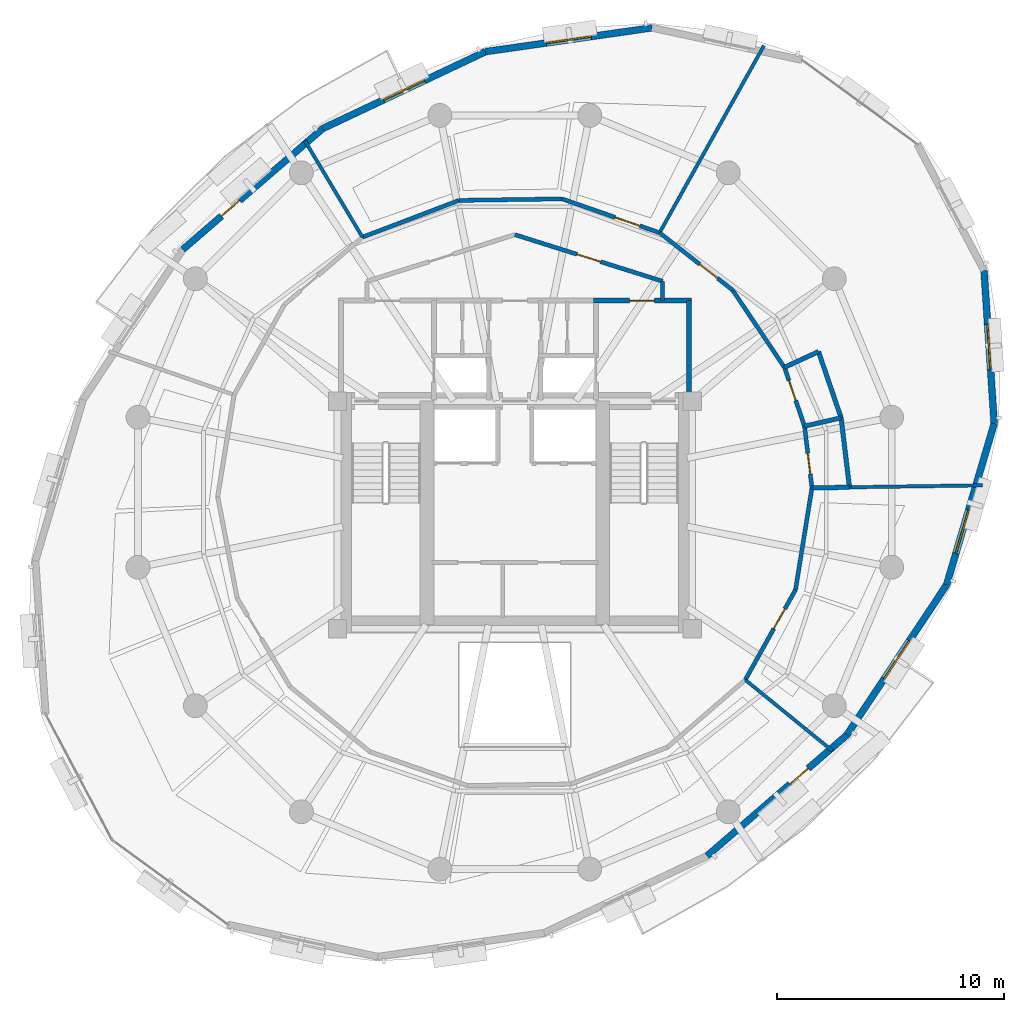
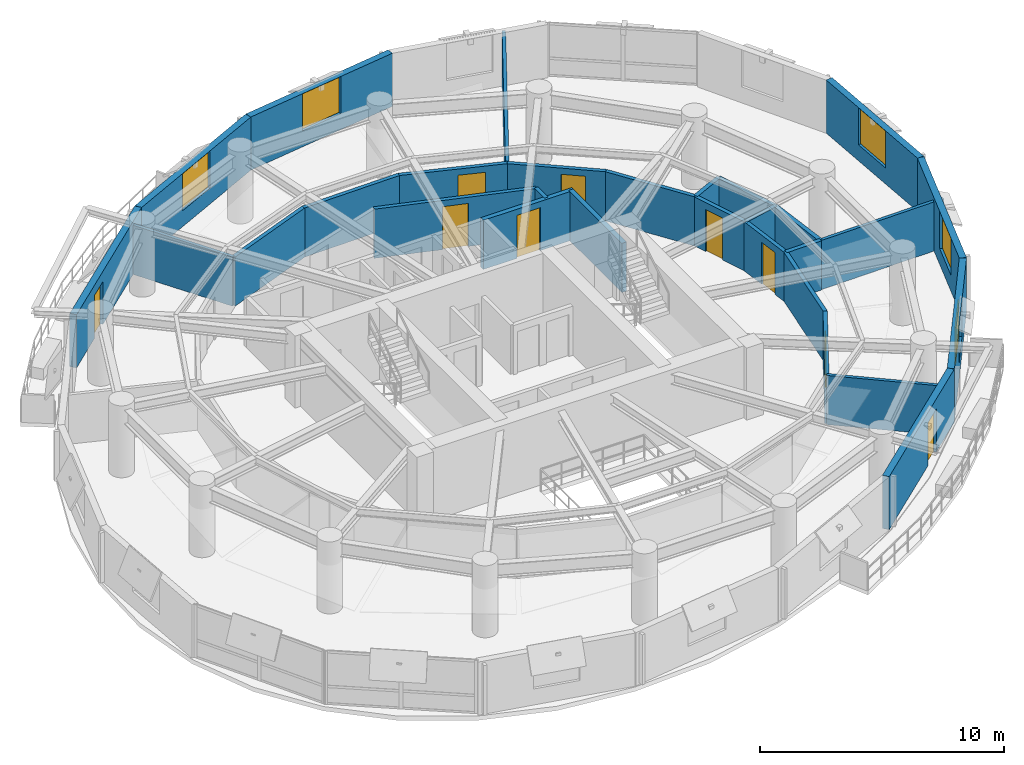
# One storey, part 9 of 12: 29 walls, 9 doors, 5 windows, 14 openings.
"""IFC4 building model written with IfcOpenShell, lengths in metres."""

from ifc_helpers import new_model, si_unit, direction, frame, frame_2d, origin, place, context, subcontext, project, spatial, rectangle, extrude, material, layer, layer_set, type_object, element, fill, save


model = new_model("IFC4")

# Units and contexts
model_context = context("Model", 3, precision=1e-05, world=origin(), true_north=direction((0.0, 1.0)))
body_context = subcontext(model_context, "Body", "Model", "MODEL_VIEW")
ifc_project = project(units=[si_unit("LENGTHUNIT", "METRE"), si_unit("AREAUNIT", "SQUARE_METRE"), si_unit("VOLUMEUNIT", "CUBIC_METRE"), si_unit("PLANEANGLEUNIT", "RADIAN"), si_unit("MASSUNIT", "GRAM", prefix="KILO"), si_unit("THERMODYNAMICTEMPERATUREUNIT", "KELVIN"), si_unit("POWERUNIT", "WATT")], contexts=[model_context])

# Site, building, storey
site_placement = place(None, origin())
site = spatial("IfcSite", under=ifc_project, at=site_placement, CompositionType="ELEMENT")
building_placement = place(site_placement, origin())
building = spatial("IfcBuilding", under=site, at=building_placement, Name="Ocrelia Relay Tower", CompositionType="ELEMENT")
storey_placement = place(building_placement, frame((0.0, 0.0, 202.39990234375)))
storey = spatial("IfcBuildingStorey", under=building, at=storey_placement, Name="L49", CompositionType="ELEMENT", Elevation=202.39990234375)

# Wall
ifc_material_1 = material(Name="Gypsum Fireboard Partition EI60", Category="gypsum")
ifc_layer_1 = layer(ifc_material_1, 0.179931640625, Name="Gypsum Fireboard Partition EI60")
ifc_layer_set_1 = layer_set([ifc_layer_1], Name="Gypsum Fireboard Partition EI60")
wall_type_1 = type_object("IfcWallType", Name="W-CORR-EI60-180", PredefinedType="PARTITIONING", material=ifc_layer_set_1)
wall_1_placement = place(storey_placement, frame((40.5, 35.280029296875, 0.0), z_axis=(0.0, 0.0, 1.0), x_axis=(0.0, -1.0, 0.0)))
element("IfcWall", 1, at=wall_1_placement, inside=storey, type_object=wall_type_1, Name="L49 Smoke Lobby East Return", PredefinedType="PARTITIONING", context=body_context, shape_type="SweptSolid", body=[
    extrude(rectangle(XDim=0.85009765625, YDim=0.179931640625, at=frame_2d((0.425048828125, 0.0))), origin(), (0.0, 0.0, 1.0), 2.460205078125),
])

# Wall, opening, door
wall_2_placement = place(storey_placement, frame((34.0, 37.330078125, 0.0), z_axis=(0.0, 0.0, 1.0), x_axis=(0.953691418528, -0.300786765376, 0.0)))
wall_2 = element("IfcWall", 2, at=wall_2_placement, inside=storey, type_object=wall_type_1, Name="L49 North Smoke Lobby E Screen Wall", PredefinedType="PARTITIONING", context=body_context, shape_type="SweptSolid", body=[
    extrude(rectangle(XDim=6.815673828125, YDim=0.179931640625, at=frame_2d((3.40771484375, 0.0))), origin(), (0.0, 0.0, 1.0), 2.460205078125),
])
opening_1_placement = place(wall_2_placement, frame((2.85791015625, 0.0, 0.0)))
opening_1 = element("IfcOpeningElement", 3, at=opening_1_placement, cuts=wall_2, Name="Opening D-FD60", PredefinedType="OPENING", context=body_context, shape_type="SweptSolid", body=[
    extrude(rectangle(XDim=1.10009765625, YDim=2.14990234375, at=frame_2d((0.550048828125, 1.074951171875))), frame((0.0, 0.10009765625, 0.0), z_axis=(0.0, -1.0, 0.0), x_axis=(1.0, 0.0, 0.0)), (0.0, 0.0, 1.0), 0.199951171875),
])
ifc_material_2 = material(Name="Timber-core 60-min acoustic fire door", Category="wood")
door_type_1 = type_object("IfcDoorType", Name="DR-LOBBY-FD60-1100", OperationType="NOTDEFINED", PredefinedType="DOOR", material=ifc_material_2)
door_1_placement = place(opening_1_placement, origin())
door_1 = element("IfcDoor", 4, at=door_1_placement, inside=storey, type_object=door_type_1, Name="L49 North Smoke Lobby E Fire Door", OperationType="SINGLE_SWING_LEFT", OverallHeight=2.14990234375, OverallWidth=1.10009765625, PredefinedType="DOOR", context=body_context, shape_type="SweptSolid", body=[
    extrude(rectangle(XDim=1.10009765625, YDim=2.14990234375, at=frame_2d((0.550048828125, 1.074951171875))), frame((0.0, 0.02490234375, 0.0), z_axis=(0.0, -1.0, 0.0), x_axis=(1.0, 0.0, 0.0)), (0.0, 0.0, 1.0), 0.050048828125),
])
fill(opening_1, door_1)

wall_3_placement = place(storey_placement, frame((47.068603515625, 26.19384765625, 0.0), z_axis=(0.0, 0.0, 1.0), x_axis=(-0.119282627246, 0.992860340046, 0.0)))
wall_3 = element("IfcWall", 5, at=wall_3_placement, inside=storey, type_object=wall_type_1, Name="L49 Staff Toilet Corridor Wall", PredefinedType="PARTITIONING", context=body_context, shape_type="SweptSolid", body=[
    extrude(rectangle(XDim=2.732421875, YDim=0.179931640625, at=frame_2d((1.3662109375, 0.0))), origin(), (0.0, 0.0, 1.0), 2.460205078125),
])
opening_2_placement = place(wall_3_placement, frame((0.61572265625, 0.0, 0.0)))
opening_2 = element("IfcOpeningElement", 6, at=opening_2_placement, cuts=wall_3, Name="Opening D-WC92", PredefinedType="OPENING", context=body_context, shape_type="SweptSolid", body=[
    extrude(rectangle(XDim=0.919921875, YDim=2.10009765625, at=frame_2d((0.4599609375, 1.050048828125))), frame((0.0, 0.10009765625, 0.0), z_axis=(0.0, -1.0, 0.0), x_axis=(1.0, 0.0, 0.0)), (0.0, 0.0, 1.0), 0.199951171875),
])
ifc_material_3 = material(Name="Laminate washroom door", Category="wood")
door_type_2 = type_object("IfcDoorType", Name="DR-WC-920", OperationType="NOTDEFINED", PredefinedType="DOOR", material=ifc_material_3)
door_2_placement = place(opening_2_placement, origin())
door_2 = element("IfcDoor", 7, at=door_2_placement, inside=storey, type_object=door_type_2, Name="L49 Staff Toilet Door", OperationType="SINGLE_SWING_RIGHT", OverallHeight=2.10009765625, OverallWidth=0.919921875, PredefinedType="DOOR", context=body_context, shape_type="SweptSolid", body=[
    extrude(rectangle(XDim=0.919921875, YDim=2.10009765625, at=frame_2d((0.4599609375, 1.050048828125))), frame((0.0, 0.02490234375, 0.0), z_axis=(0.0, -1.0, 0.0), x_axis=(1.0, 0.0, 0.0)), (0.0, 0.0, 1.0), 0.050048828125),
])
fill(opening_2, door_2)

wall_4_placement = place(storey_placement, frame((46.74267578125, 28.90673828125, 0.0), z_axis=(0.0, 0.0, 1.0), x_axis=(-0.323081399618, 0.946371179412, 0.0)))
wall_4 = element("IfcWall", 8, at=wall_4_placement, inside=storey, type_object=wall_type_1, Name="L49 Accessible Toilet Corridor Wall", PredefinedType="PARTITIONING", context=body_context, shape_type="SweptSolid", body=[
    extrude(rectangle(XDim=2.732421875, YDim=0.179931640625, at=frame_2d((1.3662109375, 0.0))), origin(), (0.0, 0.0, 1.0), 2.460205078125),
])
opening_3_placement = place(wall_4_placement, frame((1.196533203125, 0.0, 0.0)))
opening_3 = element("IfcOpeningElement", 9, at=opening_3_placement, cuts=wall_4, Name="Opening D-WC92", PredefinedType="OPENING", context=body_context, shape_type="SweptSolid", body=[
    extrude(rectangle(XDim=0.919921875, YDim=2.10009765625, at=frame_2d((0.4599609375, 1.050048828125))), frame((0.0, 0.10009765625, 0.0), z_axis=(0.0, -1.0, 0.0), x_axis=(1.0, 0.0, 0.0)), (0.0, 0.0, 1.0), 0.199951171875),
])
door_3_placement = place(opening_3_placement, origin())
door_3 = element("IfcDoor", 10, at=door_3_placement, inside=storey, type_object=door_type_2, Name="L49 Accessible Toilet Door", OperationType="SINGLE_SWING_LEFT", OverallHeight=2.10009765625, OverallWidth=0.919921875, PredefinedType="DOOR", context=body_context, shape_type="SweptSolid", body=[
    extrude(rectangle(XDim=0.919921875, YDim=2.10009765625, at=frame_2d((0.4599609375, 1.050048828125))), frame((0.0, 0.02490234375, 0.0), z_axis=(0.0, -1.0, 0.0), x_axis=(1.0, 0.0, 0.0)), (0.0, 0.0, 1.0), 0.050048828125),
])
fill(opening_3, door_3)

# Wall
wall_5_placement = place(storey_placement, frame((45.85986328125, 31.49267578125, 0.0), z_axis=(0.0, 0.0, 1.0), x_axis=(-0.557040240319, 0.830485502983, 0.0)))
element("IfcWall", 11, at=wall_5_placement, inside=storey, type_object=wall_type_1, Name="L49 Equipment Staging Store Corridor Partition 1", PredefinedType="PARTITIONING", context=body_context, shape_type="SweptSolid", body=[
    extrude(rectangle(XDim=4.089111328125, YDim=0.179931640625, at=frame_2d((2.04443359375, 0.0))), origin(), (0.0, 0.0, 1.0), 2.460205078125),
])

# Wall, opening, door
wall_6_placement = place(storey_placement, frame((43.58203125, 34.888671875, 0.0), z_axis=(0.0, 0.0, 1.0), x_axis=(-0.786365986958, 0.617760904036, 0.0)))
wall_6 = element("IfcWall", 12, at=wall_6_placement, inside=storey, type_object=wall_type_1, Name="L49 Equipment Staging Store Corridor Partition 2", PredefinedType="PARTITIONING", context=body_context, shape_type="SweptSolid", body=[
    extrude(rectangle(XDim=4.089111328125, YDim=0.179931640625, at=frame_2d((2.04443359375, 0.0))), origin(), (0.0, 0.0, 1.0), 2.460205078125),
])
opening_4_placement = place(wall_6_placement, frame((0.847412109375, 0.0, 0.0)))
opening_4 = element("IfcOpeningElement", 13, at=opening_4_placement, cuts=wall_6, Name="Opening D-RM100", PredefinedType="OPENING", context=body_context, shape_type="SweptSolid", body=[
    extrude(rectangle(XDim=1.0, YDim=2.14990234375, at=frame_2d((0.5, 1.074951171875))), frame((0.0, 0.10009765625, 0.0), z_axis=(0.0, -1.0, 0.0), x_axis=(1.0, 0.0, 0.0)), (0.0, 0.0, 1.0), 0.199951171875),
])
ifc_material_4 = material(Name="Acoustic oak veneer fire door", Category="wood")
door_type_3 = type_object("IfcDoorType", Name="DR-ROOM-FD60-1000", OperationType="NOTDEFINED", PredefinedType="DOOR", material=ifc_material_4)
door_4_placement = place(opening_4_placement, origin())
door_4 = element("IfcDoor", 14, at=door_4_placement, inside=storey, type_object=door_type_3, Name="L49 Equipment Staging Store Entrance Door", OperationType="SINGLE_SWING_RIGHT", OverallHeight=2.14990234375, OverallWidth=1.0, PredefinedType="DOOR", context=body_context, shape_type="SweptSolid", body=[
    extrude(rectangle(XDim=1.0, YDim=2.14990234375, at=frame_2d((0.5, 1.074951171875))), frame((0.0, 0.02490234375, 0.0), z_axis=(0.0, -1.0, 0.0), x_axis=(1.0, 0.0, 0.0)), (0.0, 0.0, 1.0), 0.050048828125),
])
fill(opening_4, door_4)

wall_7_placement = place(storey_placement, frame((40.366455078125, 37.414794921875, 0.0), z_axis=(0.0, 0.0, 1.0), x_axis=(-0.944667182901, 0.328030354618, 0.0)))
wall_7 = element("IfcWall", 15, at=wall_7_placement, inside=storey, type_object=wall_type_1, Name="L49 Cloud Engineering Workspace Corridor Partition 1", PredefinedType="PARTITIONING", context=body_context, shape_type="SweptSolid", body=[
    extrude(rectangle(XDim=4.539306640625, YDim=0.179931640625, at=frame_2d((2.26953125, 0.0))), origin(), (0.0, 0.0, 1.0), 2.460205078125),
])
opening_5_placement = place(wall_7_placement, frame((0.92236328125, 0.0, 0.0)))
opening_5 = element("IfcOpeningElement", 16, at=opening_5_placement, cuts=wall_7, Name="Opening D-RM115", PredefinedType="OPENING", context=body_context, shape_type="SweptSolid", body=[
    extrude(rectangle(XDim=1.14990234375, YDim=2.14990234375, at=frame_2d((0.574951171875, 1.074951171875))), frame((0.0, 0.10009765625, 0.0), z_axis=(0.0, -1.0, 0.0), x_axis=(1.0, 0.0, 0.0)), (0.0, 0.0, 1.0), 0.199951171875),
])
ifc_material_5 = material(Name="Wide acoustic oak veneer fire door", Category="wood")
door_type_4 = type_object("IfcDoorType", Name="DR-ROOM-1150", OperationType="NOTDEFINED", PredefinedType="DOOR", material=ifc_material_5)
door_5_placement = place(opening_5_placement, origin())
door_5 = element("IfcDoor", 17, at=door_5_placement, inside=storey, type_object=door_type_4, Name="L49 Cloud Engineering Workspace Entrance Door", OperationType="SINGLE_SWING_LEFT", OverallHeight=2.14990234375, OverallWidth=1.14990234375, PredefinedType="DOOR", context=body_context, shape_type="SweptSolid", body=[
    extrude(rectangle(XDim=1.14990234375, YDim=2.14990234375, at=frame_2d((0.574951171875, 1.074951171875))), frame((0.0, 0.02490234375, 0.0), z_axis=(0.0, -1.0, 0.0), x_axis=(1.0, 0.0, 0.0)), (0.0, 0.0, 1.0), 0.050048828125),
])
fill(opening_5, door_5)

# Walls
wall_8_placement = place(storey_placement, frame((36.078369140625, 38.90380859375, 0.0), z_axis=(0.0, 0.0, 1.0), x_axis=(-0.999889806088, -0.014845055755, 0.0)))
element("IfcWall", 18, at=wall_8_placement, inside=storey, type_object=wall_type_1, Name="L49 Cloud Engineering Workspace Corridor Partition 2", PredefinedType="PARTITIONING", context=body_context, shape_type="SweptSolid", body=[
    extrude(rectangle(XDim=4.5390625, YDim=0.179931640625, at=frame_2d((2.26953125, 0.0))), origin(), (0.0, 0.0, 1.0), 2.460205078125),
])
wall_9_placement = place(storey_placement, frame((31.539794921875, 38.83642578125, 0.0), z_axis=(0.0, 0.0, 1.0), x_axis=(-0.934506478346, -0.355946122227, 0.0)))
element("IfcWall", 19, at=wall_9_placement, inside=storey, type_object=wall_type_1, Name="L49 Cloud Engineering Workspace Corridor Partition 3", PredefinedType="PARTITIONING", context=body_context, shape_type="SweptSolid", body=[
    extrude(rectangle(XDim=4.539306640625, YDim=0.179931640625, at=frame_2d((2.26953125, 0.0))), origin(), (0.0, 0.0, 1.0), 2.460205078125),
])

# Wall, opening, door
wall_10_placement = place(storey_placement, frame((44.1357421875, 17.748291015625, 0.0), z_axis=(0.0, 0.0, 1.0), x_axis=(0.487099084589, 0.873346713392, 0.0)))
wall_10 = element("IfcWall", 20, at=wall_10_placement, inside=storey, type_object=wall_type_1, Name="L49 Telemetry Operations Office Corridor Partition 1", PredefinedType="PARTITIONING", context=body_context, shape_type="SweptSolid", body=[
    extrude(rectangle(XDim=4.5390625, YDim=0.179931640625, at=frame_2d((2.26953125, 0.0))), origin(), (0.0, 0.0, 1.0), 2.460205078125),
])
opening_6_placement = place(wall_10_placement, frame((2.579345703125, 0.0, 0.0)))
opening_6 = element("IfcOpeningElement", 21, at=opening_6_placement, cuts=wall_10, Name="Opening D-RM100", PredefinedType="OPENING", context=body_context, shape_type="SweptSolid", body=[
    extrude(rectangle(XDim=1.0, YDim=2.14990234375, at=frame_2d((0.5, 1.074951171875))), frame((0.0, 0.10009765625, 0.0), z_axis=(0.0, -1.0, 0.0), x_axis=(1.0, 0.0, 0.0)), (0.0, 0.0, 1.0), 0.199951171875),
])
door_6_placement = place(opening_6_placement, origin())
door_6 = element("IfcDoor", 22, at=door_6_placement, inside=storey, type_object=door_type_3, Name="L49 Telemetry Operations Office Entrance Door", OperationType="SINGLE_SWING_RIGHT", OverallHeight=2.14990234375, OverallWidth=1.0, PredefinedType="DOOR", context=body_context, shape_type="SweptSolid", body=[
    extrude(rectangle(XDim=1.0, YDim=2.14990234375, at=frame_2d((0.5, 1.074951171875))), frame((0.0, 0.02490234375, 0.0), z_axis=(0.0, -1.0, 0.0), x_axis=(1.0, 0.0, 0.0)), (0.0, 0.0, 1.0), 0.050048828125),
])
fill(opening_6, door_6)

# Wall
wall_11_placement = place(storey_placement, frame((46.3466796875, 21.71240234375, 0.0), z_axis=(0.0, 0.0, 1.0), x_axis=(0.159041352882, 0.987271922053, 0.0)))
element("IfcWall", 23, at=wall_11_placement, inside=storey, type_object=wall_type_1, Name="L49 Telemetry Operations Office Corridor Partition 2", PredefinedType="PARTITIONING", context=body_context, shape_type="SweptSolid", body=[
    extrude(rectangle(XDim=4.539306640625, YDim=0.179931640625, at=frame_2d((2.26953125, 0.0))), origin(), (0.0, 0.0, 1.0), 2.460205078125),
])

# Wall, opening, window
ifc_material_6 = material(Name="Precast concrete C40/50 with oxide terracotta", Category="masonry")
ifc_layer_2 = layer(ifc_material_6, 0.300048828125, Name="Precast concrete C40/50 with oxide terracotta")
ifc_layer_set_2 = layer_set([ifc_layer_2], Name="Precast concrete C40/50 with oxide terracotta")
wall_type_2 = type_object("IfcWallType", Name="W-EXT-TERR-300", PredefinedType="SOLIDWALL", material=ifc_layer_set_2)
wall_12_placement = place(storey_placement, frame((40.033447265625, 46.427978515625, 0.0), z_axis=(0.0, 0.0, 1.0), x_axis=(-0.989888677081, -0.141846420421, 0.0)))
wall_12 = element("IfcWall", 24, at=wall_12_placement, inside=storey, type_object=wall_type_2, Name="L49 Oxide Terracotta Facade Wall 03", PredefinedType="SOLIDWALL", context=body_context, shape_type="SweptSolid", body=[
    extrude(rectangle(XDim=7.3974609375, YDim=0.300048828125, at=frame_2d((3.69873046875, 0.0))), origin(), (0.0, 0.0, 1.0), 2.66015625),
])
opening_7_placement = place(wall_12_placement, frame((2.698974609375, 0.0, 0.800048828125)))
opening_7 = element("IfcOpeningElement", 25, at=opening_7_placement, cuts=wall_12, Name="Opening W-03", PredefinedType="OPENING", context=body_context, shape_type="SweptSolid", body=[
    extrude(rectangle(XDim=2.0, YDim=1.85009765625, at=frame_2d((1.0, 0.925048828125))), frame((0.0, 0.16015625, 0.0), z_axis=(0.0, -1.0, 0.0), x_axis=(1.0, 0.0, 0.0)), (0.0, 0.0, 1.0), 0.320068359375),
])
ifc_material_7 = material(Name="Clear double-glazed low-E glass", Category="glass")
window_type = type_object("IfcWindowType", Name="WIN-Z3-2000x2200", PartitioningType="DOUBLE_PANEL_VERTICAL", PredefinedType="WINDOW", material=ifc_material_7)
window_1_placement = place(opening_7_placement, origin())
window_1 = element("IfcWindow", 26, at=window_1_placement, inside=storey, type_object=window_type, Name="L49 Facade Module Window 03", OverallHeight=1.85009765625, OverallWidth=2.0, PartitioningType="SINGLE_PANEL", PredefinedType="WINDOW", context=body_context, shape_type="SweptSolid", body=[
    extrude(rectangle(XDim=2.0, YDim=1.85009765625, at=frame_2d((1.0, 0.925048828125))), frame((0.0, 0.030029296875, 0.0), z_axis=(0.0, -1.0, 0.0), x_axis=(1.0, 0.0, 0.0)), (0.0, 0.0, 1.0), 0.06005859375),
])
fill(opening_7, window_1)

wall_13_placement = place(storey_placement, frame((32.710693359375, 45.378662109375, 0.0), z_axis=(0.0, 0.0, 1.0), x_axis=(-0.90415381925, -0.427207058855, 0.0)))
wall_13 = element("IfcWall", 27, at=wall_13_placement, inside=storey, type_object=wall_type_2, Name="L49 Oxide Terracotta Facade Wall 04", PredefinedType="SOLIDWALL", context=body_context, shape_type="SweptSolid", body=[
    extrude(rectangle(XDim=7.927001953125, YDim=0.300048828125, at=frame_2d((3.96337890625, 0.0))), origin(), (0.0, 0.0, 1.0), 2.66015625),
])
opening_8_placement = place(wall_13_placement, frame((2.964111328125, 0.0, 0.800048828125)))
opening_8 = element("IfcOpeningElement", 28, at=opening_8_placement, cuts=wall_13, Name="Opening W-03", PredefinedType="OPENING", context=body_context, shape_type="SweptSolid", body=[
    extrude(rectangle(XDim=2.0, YDim=1.85009765625, at=frame_2d((1.0, 0.925048828125))), frame((0.0, 0.16015625, 0.0), z_axis=(0.0, -1.0, 0.0), x_axis=(1.0, 0.0, 0.0)), (0.0, 0.0, 1.0), 0.320068359375),
])
window_2_placement = place(opening_8_placement, origin())
window_2 = element("IfcWindow", 29, at=window_2_placement, inside=storey, type_object=window_type, Name="L49 Facade Module Window 04", OverallHeight=1.85009765625, OverallWidth=2.0, PartitioningType="SINGLE_PANEL", PredefinedType="WINDOW", context=body_context, shape_type="SweptSolid", body=[
    extrude(rectangle(XDim=2.0, YDim=1.85009765625, at=frame_2d((1.0, 0.925048828125))), frame((0.0, 0.030029296875, 0.0), z_axis=(0.0, -1.0, 0.0), x_axis=(1.0, 0.0, 0.0)), (0.0, 0.0, 1.0), 0.06005859375),
])
fill(opening_8, window_2)

# Wall, opening, door
wall_14_placement = place(storey_placement, frame((25.54345703125, 41.9921875, 0.0), z_axis=(0.0, 0.0, 1.0), x_axis=(-0.756414189181, -0.65409294019, 0.0)))
wall_14 = element("IfcWall", 30, at=wall_14_placement, inside=storey, type_object=wall_type_2, Name="L49 Oxide Terracotta Facade Wall 05", PredefinedType="SOLIDWALL", context=body_context, shape_type="SweptSolid", body=[
    extrude(rectangle(XDim=8.126708984375, YDim=0.300048828125, at=frame_2d((4.0634765625, 0.0))), origin(), (0.0, 0.0, 1.0), 2.66015625),
])
opening_9_placement = place(wall_14_placement, frame((4.830078125, 0.0, 0.0)))
opening_9 = element("IfcOpeningElement", 31, at=opening_9_placement, cuts=wall_14, Name="Opening DB-105", PredefinedType="OPENING", context=body_context, shape_type="SweptSolid", body=[
    extrude(rectangle(XDim=1.050048828125, YDim=2.14990234375, at=frame_2d((0.52490234375, 1.074951171875))), frame((0.0, 0.16015625, 0.0), z_axis=(0.0, -1.0, 0.0), x_axis=(1.0, 0.0, 0.0)), (0.0, 0.0, 1.0), 0.320068359375),
])
ifc_material_8 = material(Name="Thermally broken aluminium and clear glass", Category="aluminium")
door_type_5 = type_object("IfcDoorType", Name="DR-BALC-1050", OperationType="NOTDEFINED", PredefinedType="DOOR", material=ifc_material_8)
door_7_placement = place(opening_9_placement, origin())
door_7 = element("IfcDoor", 32, at=door_7_placement, inside=storey, type_object=door_type_5, Name="L49 Planted Loggia Balcony Door B1", OperationType="SINGLE_SWING_LEFT", OverallHeight=2.14990234375, OverallWidth=1.050048828125, PredefinedType="DOOR", context=body_context, shape_type="SweptSolid", body=[
    extrude(rectangle(XDim=1.050048828125, YDim=2.14990234375, at=frame_2d((0.52490234375, 1.074951171875))), frame((0.0, 0.02490234375, 0.0), z_axis=(0.0, -1.0, 0.0), x_axis=(1.0, 0.0, 0.0)), (0.0, 0.0, 1.0), 0.050048828125),
])
fill(opening_9, door_7)

wall_15_placement = place(storey_placement, frame((42.45654296875, 10.0078125, 0.0), z_axis=(0.0, 0.0, 1.0), x_axis=(0.756414189181, 0.65409294019, 0.0)))
wall_15 = element("IfcWall", 33, at=wall_15_placement, inside=storey, type_object=wall_type_2, Name="L49 Oxide Terracotta Facade Wall 14", PredefinedType="SOLIDWALL", context=body_context, shape_type="SweptSolid", body=[
    extrude(rectangle(XDim=8.126708984375, YDim=0.300048828125, at=frame_2d((4.0634765625, 0.0))), origin(), (0.0, 0.0, 1.0), 2.66015625),
])
opening_10_placement = place(wall_15_placement, frame((4.830078125, 0.0, 0.0)))
opening_10 = element("IfcOpeningElement", 34, at=opening_10_placement, cuts=wall_15, Name="Opening DB-105", PredefinedType="OPENING", context=body_context, shape_type="SweptSolid", body=[
    extrude(rectangle(XDim=1.050048828125, YDim=2.14990234375, at=frame_2d((0.52490234375, 1.074951171875))), frame((0.0, 0.16015625, 0.0), z_axis=(0.0, -1.0, 0.0), x_axis=(1.0, 0.0, 0.0)), (0.0, 0.0, 1.0), 0.320068359375),
])
door_8_placement = place(opening_10_placement, origin())
door_8 = element("IfcDoor", 35, at=door_8_placement, inside=storey, type_object=door_type_5, Name="L49 Planted Loggia Balcony Door B2", OperationType="SINGLE_SWING_LEFT", OverallHeight=2.14990234375, OverallWidth=1.050048828125, PredefinedType="DOOR", context=body_context, shape_type="SweptSolid", body=[
    extrude(rectangle(XDim=1.050048828125, YDim=2.14990234375, at=frame_2d((0.52490234375, 1.074951171875))), frame((0.0, 0.02490234375, 0.0), z_axis=(0.0, -1.0, 0.0), x_axis=(1.0, 0.0, 0.0)), (0.0, 0.0, 1.0), 0.050048828125),
])
fill(opening_10, door_8)

# Wall, opening, window
wall_16_placement = place(storey_placement, frame((48.603759765625, 15.323486328125, 0.0), z_axis=(0.0, 0.0, 1.0), x_axis=(0.553263688025, 0.833006177356, 0.0)))
wall_16 = element("IfcWall", 36, at=wall_16_placement, inside=storey, type_object=wall_type_2, Name="L49 Oxide Terracotta Facade Wall 15", PredefinedType="SOLIDWALL", context=body_context, shape_type="SweptSolid", body=[
    extrude(rectangle(XDim=7.927001953125, YDim=0.300048828125, at=frame_2d((3.96337890625, 0.0))), origin(), (0.0, 0.0, 1.0), 2.66015625),
])
opening_11_placement = place(wall_16_placement, frame((2.964111328125, 0.0, 0.800048828125)))
opening_11 = element("IfcOpeningElement", 37, at=opening_11_placement, cuts=wall_16, Name="Opening W-03", PredefinedType="OPENING", context=body_context, shape_type="SweptSolid", body=[
    extrude(rectangle(XDim=2.0, YDim=1.85009765625, at=frame_2d((1.0, 0.925048828125))), frame((0.0, 0.16015625, 0.0), z_axis=(0.0, -1.0, 0.0), x_axis=(1.0, 0.0, 0.0)), (0.0, 0.0, 1.0), 0.320068359375),
])
window_3_placement = place(opening_11_placement, origin())
window_3 = element("IfcWindow", 38, at=window_3_placement, inside=storey, type_object=window_type, Name="L49 Facade Module Window 15", OverallHeight=1.85009765625, OverallWidth=2.0, PartitioningType="SINGLE_PANEL", PredefinedType="WINDOW", context=body_context, shape_type="SweptSolid", body=[
    extrude(rectangle(XDim=2.0, YDim=1.85009765625, at=frame_2d((1.0, 0.925048828125))), frame((0.0, 0.030029296875, 0.0), z_axis=(0.0, -1.0, 0.0), x_axis=(1.0, 0.0, 0.0)), (0.0, 0.0, 1.0), 0.06005859375),
])
fill(opening_11, window_3)

wall_17_placement = place(storey_placement, frame((52.989501953125, 21.9267578125, 0.0), z_axis=(0.0, 0.0, 1.0), x_axis=(0.283266806845, 0.959041144133, 0.0)))
wall_17 = element("IfcWall", 39, at=wall_17_placement, inside=storey, type_object=wall_type_2, Name="L49 Oxide Terracotta Facade Wall 16", PredefinedType="SOLIDWALL", context=body_context, shape_type="SweptSolid", body=[
    extrude(rectangle(XDim=7.3974609375, YDim=0.300048828125, at=frame_2d((3.69873046875, 0.0))), origin(), (0.0, 0.0, 1.0), 2.66015625),
])
opening_12_placement = place(wall_17_placement, frame((1.43896484375, 0.0, 0.800048828125)))
opening_12 = element("IfcOpeningElement", 40, at=opening_12_placement, cuts=wall_17, Name="Opening W-03", PredefinedType="OPENING", context=body_context, shape_type="SweptSolid", body=[
    extrude(rectangle(XDim=2.0, YDim=1.85009765625, at=frame_2d((1.0, 0.925048828125))), frame((0.0, 0.16015625, 0.0), z_axis=(0.0, -1.0, 0.0), x_axis=(1.0, 0.0, 0.0)), (0.0, 0.0, 1.0), 0.320068359375),
])
window_4_placement = place(opening_12_placement, origin())
window_4 = element("IfcWindow", 41, at=window_4_placement, inside=storey, type_object=window_type, Name="L49 Facade Module Window 16", OverallHeight=1.85009765625, OverallWidth=2.0, PartitioningType="SINGLE_PANEL", PredefinedType="WINDOW", context=body_context, shape_type="SweptSolid", body=[
    extrude(rectangle(XDim=2.0, YDim=1.85009765625, at=frame_2d((1.0, 0.925048828125))), frame((0.0, 0.030029296875, 0.0), z_axis=(0.0, -1.0, 0.0), x_axis=(1.0, 0.0, 0.0)), (0.0, 0.0, 1.0), 0.06005859375),
])
fill(opening_12, window_4)

wall_18_placement = place(storey_placement, frame((55.0849609375, 29.021240234375, 0.0), z_axis=(0.0, 0.0, 1.0), x_axis=(-0.066382076565, 0.997794277349, 0.0)))
wall_18 = element("IfcWall", 42, at=wall_18_placement, inside=storey, type_object=wall_type_2, Name="L49 Oxide Terracotta Facade Wall 17", PredefinedType="SOLIDWALL", context=body_context, shape_type="SweptSolid", body=[
    extrude(rectangle(XDim=6.7451171875, YDim=0.300048828125, at=frame_2d((3.37255859375, 0.0))), origin(), (0.0, 0.0, 1.0), 2.66015625),
])
opening_13_placement = place(wall_18_placement, frame((2.373046875, 0.0, 0.800048828125)))
opening_13 = element("IfcOpeningElement", 43, at=opening_13_placement, cuts=wall_18, Name="Opening W-03", PredefinedType="OPENING", context=body_context, shape_type="SweptSolid", body=[
    extrude(rectangle(XDim=2.0, YDim=1.85009765625, at=frame_2d((1.0, 0.925048828125))), frame((0.0, 0.16015625, 0.0), z_axis=(0.0, -1.0, 0.0), x_axis=(1.0, 0.0, 0.0)), (0.0, 0.0, 1.0), 0.320068359375),
])
window_5_placement = place(opening_13_placement, origin())
window_5 = element("IfcWindow", 44, at=window_5_placement, inside=storey, type_object=window_type, Name="L49 Facade Module Window 17", OverallHeight=1.85009765625, OverallWidth=2.0, PartitioningType="SINGLE_PANEL", PredefinedType="WINDOW", context=body_context, shape_type="SweptSolid", body=[
    extrude(rectangle(XDim=2.0, YDim=1.85009765625, at=frame_2d((1.0, 0.925048828125))), frame((0.0, 0.030029296875, 0.0), z_axis=(0.0, -1.0, 0.0), x_axis=(1.0, 0.0, 0.0)), (0.0, 0.0, 1.0), 0.06005859375),
])
fill(opening_13, window_5)

# Wall
ifc_material_9 = material(Name="Concrete C50/60", Category="concrete")
ifc_layer_3 = layer(ifc_material_9, 0.219970703125, Name="Concrete C50/60")
ifc_layer_set_3 = layer_set([ifc_layer_3], Name="Concrete C50/60")
wall_type_3 = type_object("IfcWallType", Name="W-FFL-EI120-220", PredefinedType="SOLIDWALL", material=ifc_layer_set_3)
wall_19_placement = place(storey_placement, frame((41.64990234375, 30.050048828125, 0.0), z_axis=(0.0, 0.0, 1.0), x_axis=(0.0, 1.0, 0.0)))
element("IfcWall", 45, at=wall_19_placement, inside=storey, type_object=wall_type_3, Name="L49 E Fire Service Lift Lobby East Wall", PredefinedType="SOLIDWALL", context=body_context, shape_type="SweptSolid", body=[
    extrude(rectangle(XDim=4.3798828125, YDim=0.219970703125, at=frame_2d((2.18994140625, 0.0))), origin(), (0.0, 0.0, 1.0), 2.460205078125),
])

# Wall, opening, door
wall_20_placement = place(storey_placement, frame((37.449951171875, 34.429931640625, 0.0), z_axis=(0.0, 0.0, 1.0), x_axis=(1.0, 0.0, 0.0)))
wall_20 = element("IfcWall", 46, at=wall_20_placement, inside=storey, type_object=wall_type_3, Name="L49 E Fire Service Lift Lobby North Wall", PredefinedType="SOLIDWALL", context=body_context, shape_type="SweptSolid", body=[
    extrude(rectangle(XDim=4.31005859375, YDim=0.219970703125, at=frame_2d((2.155029296875, 0.0))), origin(), (0.0, 0.0, 1.0), 2.460205078125),
])
opening_14_placement = place(wall_20_placement, frame((1.60009765625, 0.0, 0.0)))
opening_14 = element("IfcOpeningElement", 47, at=opening_14_placement, cuts=wall_20, Name="Opening D-FD60", PredefinedType="OPENING", context=body_context, shape_type="SweptSolid", body=[
    extrude(rectangle(XDim=1.10009765625, YDim=2.14990234375, at=frame_2d((0.550048828125, 1.074951171875))), frame((0.0, 0.1201171875, 0.0), z_axis=(0.0, -1.0, 0.0), x_axis=(1.0, 0.0, 0.0)), (0.0, 0.0, 1.0), 0.239990234375),
])
door_9_placement = place(opening_14_placement, origin())
door_9 = element("IfcDoor", 48, at=door_9_placement, inside=storey, type_object=door_type_1, Name="L49 E Fire Service Lift Lobby Exit Door", OperationType="SINGLE_SWING_LEFT", OverallHeight=2.14990234375, OverallWidth=1.10009765625, PredefinedType="DOOR", context=body_context, shape_type="SweptSolid", body=[
    extrude(rectangle(XDim=1.10009765625, YDim=2.14990234375, at=frame_2d((0.550048828125, 1.074951171875))), frame((0.0, 0.02490234375, 0.0), z_axis=(0.0, -1.0, 0.0), x_axis=(1.0, 0.0, 0.0)), (0.0, 0.0, 1.0), 0.050048828125),
])
fill(opening_14, door_9)

# Walls
ifc_material_10 = material(Name="Acoustic Fireboard Partition EI60", Category="gypsum")
ifc_layer_4 = layer(ifc_material_10, 0.14990234375, Name="Acoustic Fireboard Partition EI60")
ifc_layer_set_4 = layer_set([ifc_layer_4], Name="Acoustic Fireboard Partition EI60")
wall_type_4 = type_object("IfcWallType", Name="W-PART-150", PredefinedType="PARTITIONING", material=ifc_layer_set_4)
wall_21_placement = place(storey_placement, frame((48.718505859375, 26.218505859375, 0.0), z_axis=(0.0, 0.0, 1.0), x_axis=(0.999889967594, 0.014834173548, 0.0)))
element("IfcWall", 49, at=wall_21_placement, inside=storey, type_object=wall_type_4, Name="L49 Equipment Staging Store Radial Partition", PredefinedType="PARTITIONING", context=body_context, shape_type="SweptSolid", body=[
    extrude(rectangle(XDim=5.859130859375, YDim=0.14990234375, at=frame_2d((2.9296875, 0.0))), origin(), (0.0, 0.0, 1.0), 2.460205078125),
])
wall_22_placement = place(storey_placement, frame((40.366455078125, 37.414794921875, 0.0), z_axis=(0.0, 0.0, 1.0), x_axis=(0.487093036019, 0.873350086885, 0.0)))
element("IfcWall", 50, at=wall_22_placement, inside=storey, type_object=wall_type_4, Name="L49 Equipment Staging Store Radial Partition", PredefinedType="PARTITIONING", context=body_context, shape_type="SweptSolid", body=[
    extrude(rectangle(XDim=9.416015625, YDim=0.14990234375, at=frame_2d((4.7080078125, 0.0))), origin(), (0.0, 0.0, 1.0), 2.460205078125),
])
wall_23_placement = place(storey_placement, frame((27.2978515625, 37.220703125, 0.0), z_axis=(0.0, 0.0, 1.0), x_axis=(-0.512780558494, 0.858519713711, 0.0)))
element("IfcWall", 51, at=wall_23_placement, inside=storey, type_object=wall_type_4, Name="L49 Cloud Engineering Workspace Radial Partition", PredefinedType="PARTITIONING", context=body_context, shape_type="SweptSolid", body=[
    extrude(rectangle(XDim=4.94287109375, YDim=0.14990234375, at=frame_2d((2.471435546875, 0.0))), origin(), (0.0, 0.0, 1.0), 2.460205078125),
])
wall_24_placement = place(storey_placement, frame((44.1357421875, 17.748291015625, 0.0), z_axis=(0.0, 0.0, 1.0), x_axis=(0.775486642506, -0.631363973706, 0.0)))
element("IfcWall", 52, at=wall_24_placement, inside=storey, type_object=wall_type_4, Name="L49 Optical Switching Hall B Radial Partition", PredefinedType="PARTITIONING", context=body_context, shape_type="SweptSolid", body=[
    extrude(rectangle(XDim=4.943115234375, YDim=0.14990234375, at=frame_2d((2.4716796875, 0.0))), origin(), (0.0, 0.0, 1.0), 2.460205078125),
])
ifc_material_11 = material(Name="Moisture-Resistant Fireboard Chase Wall EI60", Category="gypsum")
ifc_layer_5 = layer(ifc_material_11, 0.199951171875, Name="Moisture-Resistant Fireboard Chase Wall EI60")
ifc_layer_set_5 = layer_set([ifc_layer_5], Name="Moisture-Resistant Fireboard Chase Wall EI60")
wall_type_5 = type_object("IfcWallType", Name="W-PLUMB-200", PredefinedType="PLUMBINGWALL", material=ifc_layer_set_5)
wall_25_placement = place(storey_placement, frame((47.068603515625, 26.19384765625, 0.0), z_axis=(0.0, 0.0, 1.0), x_axis=(0.999888338455, 0.014943581264, 0.0)))
element("IfcWall", 53, at=wall_25_placement, inside=storey, type_object=wall_type_5, Name="L49 Staff Toilet Plumbing Radial Wall", PredefinedType="PLUMBINGWALL", context=body_context, shape_type="SweptSolid", body=[
    extrude(rectangle(XDim=1.650146484375, YDim=0.199951171875, at=frame_2d((0.8251953125, 0.0))), origin(), (0.0, 0.0, 1.0), 2.460205078125),
])
wall_26_placement = place(storey_placement, frame((46.74267578125, 28.90673828125, 0.0), z_axis=(0.0, 0.0, 1.0), x_axis=(0.974956674022, 0.22239488254, 0.0)))
element("IfcWall", 54, at=wall_26_placement, inside=storey, type_object=wall_type_5, Name="L49 Staff Toilet Plumbing Radial Wall", PredefinedType="PLUMBINGWALL", context=body_context, shape_type="SweptSolid", body=[
    extrude(rectangle(XDim=1.64990234375, YDim=0.199951171875, at=frame_2d((0.824951171875, 0.0))), origin(), (0.0, 0.0, 1.0), 2.460205078125),
])
wall_27_placement = place(storey_placement, frame((48.718505859375, 26.218505859375, 0.0), z_axis=(0.0, 0.0, 1.0), x_axis=(-0.119326673421, 0.992855047331, 0.0)))
element("IfcWall", 55, at=wall_27_placement, inside=storey, type_object=wall_type_5, Name="L49 Staff Toilet Back Plumbing Wall", PredefinedType="PLUMBINGWALL", context=body_context, shape_type="SweptSolid", body=[
    extrude(rectangle(XDim=3.0771484375, YDim=0.199951171875, at=frame_2d((1.53857421875, 0.0))), origin(), (0.0, 0.0, 1.0), 2.460205078125),
])
wall_28_placement = place(storey_placement, frame((45.85986328125, 31.49267578125, 0.0), z_axis=(0.0, 0.0, 1.0), x_axis=(0.907430342314, 0.420202539079, 0.0)))
element("IfcWall", 56, at=wall_28_placement, inside=storey, type_object=wall_type_5, Name="L49 Accessible Toilet Plumbing Radial Wall", PredefinedType="PLUMBINGWALL", context=body_context, shape_type="SweptSolid", body=[
    extrude(rectangle(XDim=1.650146484375, YDim=0.199951171875, at=frame_2d((0.8251953125, 0.0))), origin(), (0.0, 0.0, 1.0), 2.460205078125),
])
wall_29_placement = place(storey_placement, frame((48.351318359375, 29.273681640625, 0.0), z_axis=(0.0, 0.0, 1.0), x_axis=(-0.323050273296, 0.946381805047, 0.0)))
element("IfcWall", 57, at=wall_29_placement, inside=storey, type_object=wall_type_5, Name="L49 Accessible Toilet Back Plumbing Wall", PredefinedType="PLUMBINGWALL", context=body_context, shape_type="SweptSolid", body=[
    extrude(rectangle(XDim=3.077392578125, YDim=0.199951171875, at=frame_2d((1.53857421875, 0.0))), origin(), (0.0, 0.0, 1.0), 2.460205078125),
])

save(model, "model.ifc")
